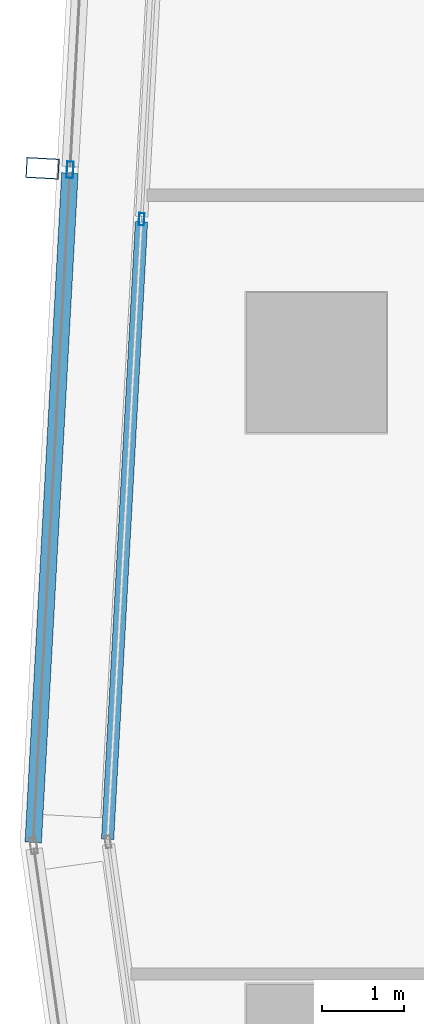
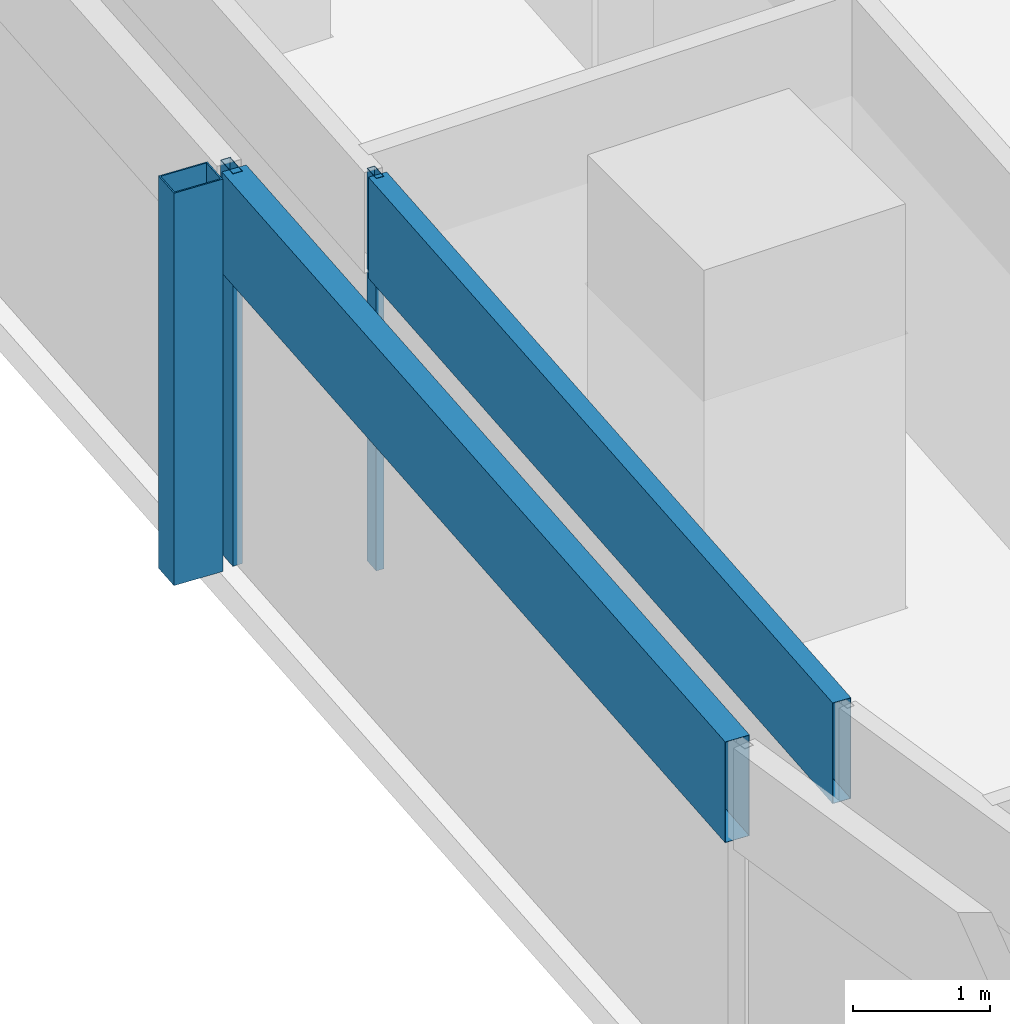
# One storey, part 7 of 40: 5 members, 2 elements without a shape of their own.
"""IFC4 building model written with IfcOpenShell, lengths in metres."""

from ifc_helpers import new_model, si_unit, direction, frame, origin, origin_2d, place, context, subcontext, project, spatial, hollow_rectangle, extrude, material, material_profile, profile_set, type_object, element, aggregate, save


model = new_model("IFC4")

# Units and contexts
model_context = context("Model", 3, precision=1e-05, world=origin(), true_north=direction((0.0, 1.0)))
body_context = subcontext(model_context, "Body", "Model", "MODEL_VIEW")
ifc_project = project(units=[si_unit("LENGTHUNIT", "METRE"), si_unit("AREAUNIT", "SQUARE_METRE"), si_unit("VOLUMEUNIT", "CUBIC_METRE"), si_unit("PLANEANGLEUNIT", "RADIAN"), si_unit("MASSUNIT", "GRAM", prefix="KILO")], contexts=[model_context])

# Site, building, storey
site_placement = place(None, origin())
site = spatial("IfcSite", under=ifc_project, at=site_placement, CompositionType="ELEMENT")
building_placement = place(site_placement, origin())
building = spatial("IfcBuilding", under=site, at=building_placement, Name="Rekha Terrace Tower", CompositionType="ELEMENT")
storey_placement = place(building_placement, frame((0.0, 0.0, 121.550048828125)))
storey = spatial("IfcBuildingStorey", under=building, at=storey_placement, Name="L30", CompositionType="ELEMENT", Elevation=121.550048828125)

# Curtain wall, member
ifc_material_1 = material(Name="Aluminium framing", Category="aluminium")
curtain_wall_type_1 = type_object("IfcCurtainWallType", Name="CW2 double skin outer glazing", PredefinedType="USERDEFINED", material=ifc_material_1)
curtain_wall_1_placement = place(storey_placement, origin())
curtain_wall_1 = element("IfcCurtainWall", 1, at=curtain_wall_1_placement, inside=storey, type_object=curtain_wall_type_1, Name="CW2 double skin outer glazing", ObjectType="DOUBLE SKIN OUTER GLAZING", PredefinedType="USERDEFINED")
ifc_material_2 = material(Name="Steel S355 with fluorocarbon finish", Category="steel")
ifc_material_profile_1 = material_profile(ifc_material_2, hollow_rectangle(XDim=0.25, YDim=0.39990234375, WallThickness=0.012451171875, at=origin_2d()), Name="RHS400x250x12.5")
ifc_profile_set_1 = profile_set([ifc_material_profile_1], Name="Steel S355 with fluorocarbon finish")
member_type_1 = type_object("IfcMemberType", Name="BL1 facade blade RHS 400 x 250", PredefinedType="USERDEFINED", material=ifc_profile_set_1)
member_1_placement = place(storey_placement, frame((5.073974609375, 35.9609375, 0.0), z_axis=(0.0, 0.0, 1.0), x_axis=(-0.054742798353, -0.998500488747, 0.0)))
member_1 = element("IfcMember", 2, at=member_1_placement, type_object=member_type_1, Name="Facade blade", ObjectType="FACADE BLADE", PredefinedType="USERDEFINED", context=body_context, shape_type="SweptSolid", body=[
    extrude(hollow_rectangle(XDim=0.25, YDim=0.39990234375, WallThickness=0.012451171875, at=origin_2d()), origin(), (0.0, 0.0, 1.0), 3.5),
])

# Curtain wall, members
curtain_wall_type_2 = type_object("IfcCurtainWallType", Name="CW1 double skin inner glazing", PredefinedType="USERDEFINED", material=ifc_material_1)
curtain_wall_2_placement = place(storey_placement, origin())
curtain_wall_2 = element("IfcCurtainWall", 3, at=curtain_wall_2_placement, inside=storey, type_object=curtain_wall_type_2, Name="CW1 double skin inner glazing", ObjectType="DOUBLE SKIN INNER GLAZING", PredefinedType="USERDEFINED")
ifc_material_3 = material(Name="Aluminium mullion section", Category="aluminium")
ifc_material_profile_2 = material_profile(ifc_material_3, hollow_rectangle(XDim=0.06494140625, YDim=0.14990234375, WallThickness=0.00390625, at=origin_2d()), Name="AL RHS 65x150")
ifc_profile_set_2 = profile_set([ifc_material_profile_2], Name="Aluminium mullion section")
member_type_2 = type_object("IfcMemberType", Name="CW1 mullion RHS 65 x 150", PredefinedType="MULLION", material=ifc_profile_set_2)
member_2_placement = place(storey_placement, frame((6.27685546875, 35.343017578125, 0.0), z_axis=(0.0, 0.0, 1.0), x_axis=(0.99850051318, -0.054742352707, 0.0)))
member_2 = element("IfcMember", 4, at=member_2_placement, type_object=member_type_2, Name="CW1 mullion 4", PredefinedType="MULLION", context=body_context, shape_type="SweptSolid", body=[
    extrude(hollow_rectangle(XDim=0.06494140625, YDim=0.14990234375, WallThickness=0.00390625, at=origin_2d()), origin(), (0.0, 0.0, 1.0), 3.5),
])
ifc_material_4 = material(Name="Insulated aluminium spandrel box", Category="aluminium")
ifc_material_profile_3 = material_profile(ifc_material_4, hollow_rectangle(XDim=0.14990234375, YDim=0.89990234375, WallThickness=0.0029296875, at=origin_2d()), Name="AL SPANDREL BOX 150x900")
ifc_profile_set_3 = profile_set([ifc_material_profile_3], Name="Insulated aluminium spandrel box")
member_type_3 = type_object("IfcMemberType", Name="CW1 spandrel transom 150 x 900", PredefinedType="USERDEFINED", material=ifc_profile_set_3)
member_3_placement = place(storey_placement, frame((6.275146484375, 35.310546875, 3.050048828125), z_axis=(-0.054756855706, -0.998499717953, 0.0), x_axis=(0.998499717953, -0.054756855706, 0.0)))
member_3 = element("IfcMember", 5, at=member_3_placement, type_object=member_type_3, Name="CW1 spandrel transom 4", ObjectType="TRANSOM", PredefinedType="USERDEFINED", context=body_context, shape_type="SweptSolid", body=[
    extrude(hollow_rectangle(XDim=0.14990234375, YDim=0.89990234375, WallThickness=0.0029296875, at=origin_2d()), origin(), (0.0, 0.0, 1.0), 7.50830078125),
])
aggregate(curtain_wall_2, [member_2, member_3])

# Member
ifc_material_profile_4 = material_profile(ifc_material_3, hollow_rectangle(XDim=0.080078125, YDim=0.199951171875, WallThickness=0.00390625, at=origin_2d()), Name="AL RHS 80x200")
ifc_profile_set_4 = profile_set([ifc_material_profile_4], Name="Aluminium mullion section")
member_type_4 = type_object("IfcMemberType", Name="CW2 mullion RHS 80 x 200", PredefinedType="MULLION", material=ifc_profile_set_4)
member_4_placement = place(storey_placement, frame((5.408447265625, 35.942626953125, 0.0), z_axis=(0.0, 0.0, 1.0), x_axis=(0.99850051318, -0.054742352707, 0.0)))
member_4 = element("IfcMember", 6, at=member_4_placement, type_object=member_type_4, Name="CW2 mullion 4", PredefinedType="MULLION", context=body_context, shape_type="SweptSolid", body=[
    extrude(hollow_rectangle(XDim=0.080078125, YDim=0.199951171875, WallThickness=0.00390625, at=origin_2d()), origin(), (0.0, 0.0, 1.0), 3.5),
])

ifc_material_profile_5 = material_profile(ifc_material_4, hollow_rectangle(XDim=0.199951171875, YDim=0.89990234375, WallThickness=0.0029296875, at=origin_2d()), Name="AL SPANDREL BOX 200x900")
ifc_profile_set_5 = profile_set([ifc_material_profile_5], Name="Insulated aluminium spandrel box")
member_type_5 = type_object("IfcMemberType", Name="CW2 spandrel transom 200 x 900", PredefinedType="USERDEFINED", material=ifc_profile_set_5)
member_5_placement = place(storey_placement, frame((5.40625, 35.902587890625, 3.050048828125), z_axis=(-0.054737434401, -0.998500782812, 0.0), x_axis=(0.998500782812, -0.054737434401, 0.0)))
member_5 = element("IfcMember", 7, at=member_5_placement, type_object=member_type_5, Name="CW2 spandrel transom 4", ObjectType="TRANSOM", PredefinedType="USERDEFINED", context=body_context, shape_type="SweptSolid", body=[
    extrude(hollow_rectangle(XDim=0.199951171875, YDim=0.89990234375, WallThickness=0.0029296875, at=origin_2d()), origin(), (0.0, 0.0, 1.0), 8.139892578125),
])

aggregate(curtain_wall_1, [member_4, member_5, member_1])

save(model, "model.ifc")
